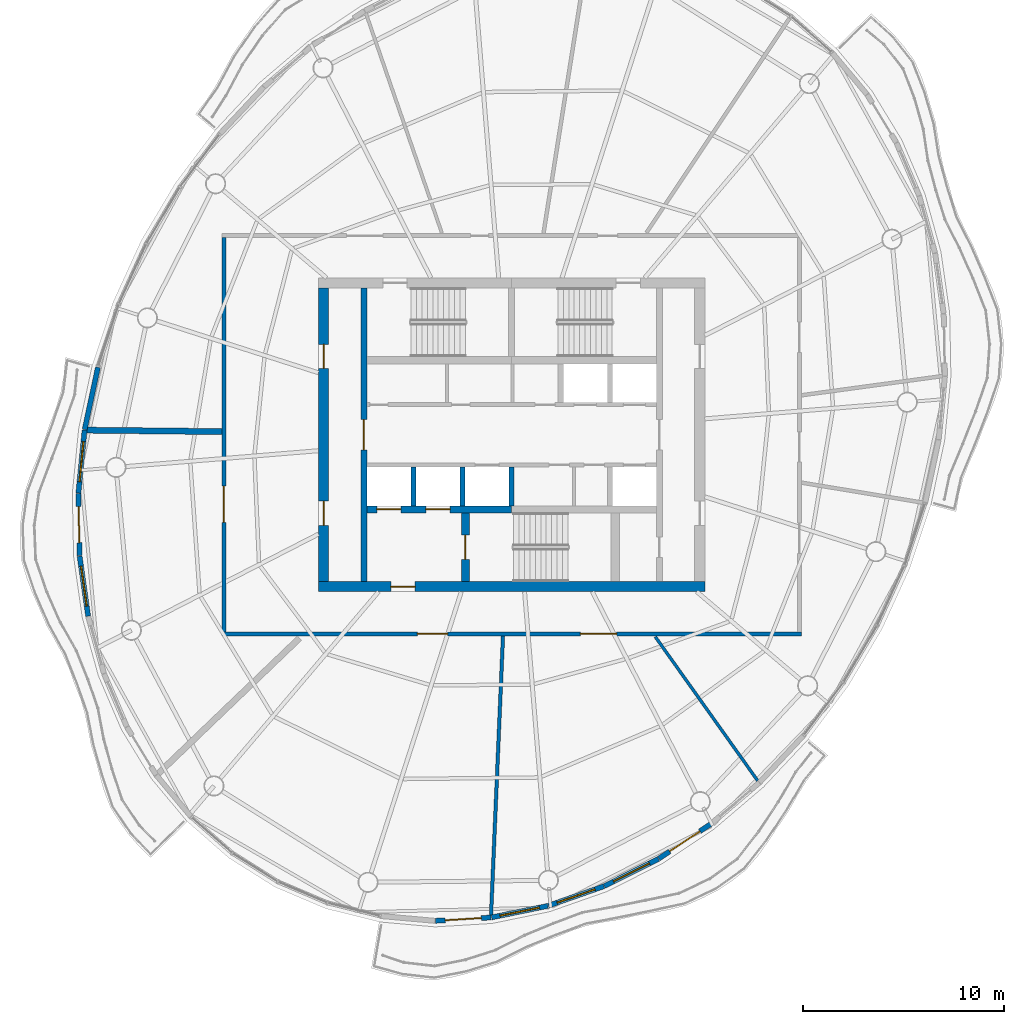
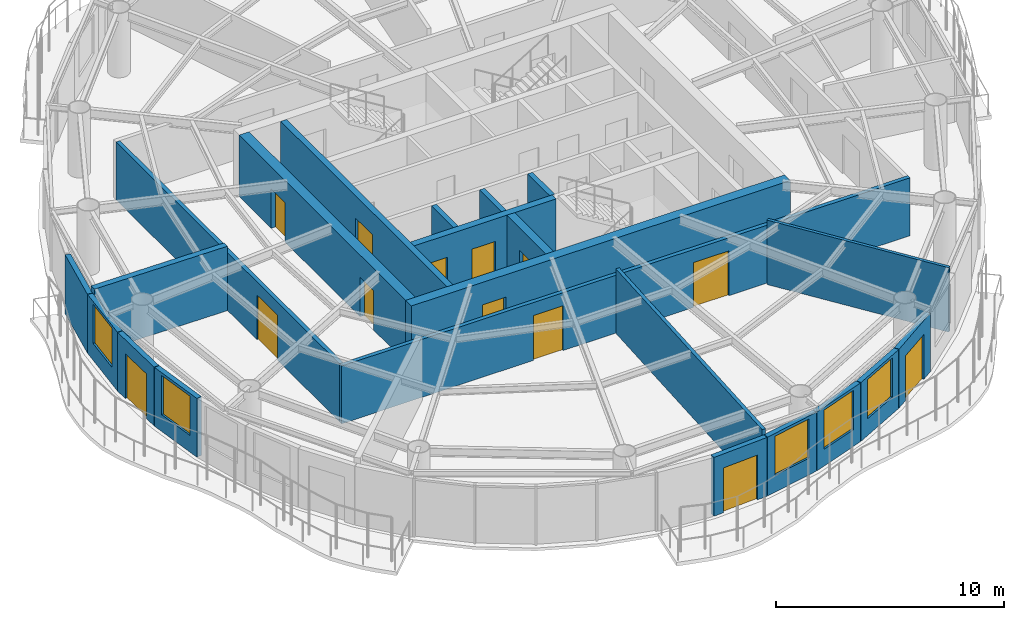
# One storey, part 7 of 13: 22 walls, 13 doors, 5 windows, 18 openings.
"""IFC4 building model written with IfcOpenShell, lengths in metres."""

from ifc_helpers import new_model, si_unit, direction, frame, frame_2d, origin, place, context, subcontext, project, spatial, rectangle, extrude, material, layer, layer_set, type_object, element, fill, save


model = new_model("IFC4")

# Units and contexts
model_context = context("Model", 3, precision=1e-05, world=origin(), true_north=direction((0.0, 1.0)))
body_context = subcontext(model_context, "Body", "Model", "MODEL_VIEW")
ifc_project = project(units=[si_unit("LENGTHUNIT", "METRE"), si_unit("AREAUNIT", "SQUARE_METRE"), si_unit("VOLUMEUNIT", "CUBIC_METRE"), si_unit("PLANEANGLEUNIT", "RADIAN"), si_unit("MASSUNIT", "GRAM", prefix="KILO")], contexts=[model_context])

# Site, building, storey
site_placement = place(None, origin())
site = spatial("IfcSite", under=ifc_project, at=site_placement, CompositionType="ELEMENT")
building_placement = place(site_placement, origin())
building = spatial("IfcBuilding", under=site, at=building_placement, Name="Vermilion Reach Broadcast Tower", CompositionType="ELEMENT")
storey_placement = place(building_placement, frame((0.0, 0.0, 282.89990234375)))
storey = spatial("IfcBuildingStorey", under=building, at=storey_placement, Name="L70", CompositionType="ELEMENT", Elevation=282.89990234375)

# Wall, opening, door
ifc_material_1 = material(Name="Concrete C50", Category="concrete")
ifc_layer_1 = layer(ifc_material_1, 0.300048828125)
ifc_layer_set_1 = layer_set([ifc_layer_1], Name="Core inner wall 300 mm Concrete C50")
wall_type_1 = type_object("IfcWallType", Name="Core inner wall 300 mm Concrete C50", PredefinedType="SHEAR", material=ifc_layer_set_1)
wall_1_placement = place(storey_placement, frame((-13.35009765625, 7.300048828125, 0.0), z_axis=(0.0, 0.0, 1.0), x_axis=(0.0, -1.0, 0.0)))
wall_1 = element("IfcWall", 1, at=wall_1_placement, inside=storey, type_object=wall_type_1, Name="L70 core wall ewW", PredefinedType="SHEAR", context=body_context, shape_type="SweptSolid", body=[
    extrude(rectangle(XDim=14.60009765625, YDim=0.300048828125, at=frame_2d((7.300048828125, 0.0))), origin(), (0.0, 0.0, 1.0), 3.300048828125),
])
opening_1_placement = place(wall_1_placement, frame((6.550048828125, 0.0, 0.0)))
opening_1 = element("IfcOpeningElement", 2, at=opening_1_placement, cuts=wall_1, Name="Opening D04", PredefinedType="OPENING", context=body_context, shape_type="SweptSolid", body=[
    extrude(rectangle(XDim=1.5, YDim=2.10009765625, at=frame_2d((0.75, 1.050048828125))), frame((0.0, 0.159912109375, 0.0), z_axis=(0.0, -1.0, 0.0), x_axis=(1.0, 0.0, 0.0)), (0.0, 0.0, 1.0), 0.320068359375),
])
ifc_material_2 = material(Name="Painted steel fire door", Category="steel")
door_type_1 = type_object("IfcDoorType", Name="Lift lobby door 1500 x 2100", OperationType="DOUBLE_DOOR_SINGLE_SWING", PredefinedType="NOTDEFINED", material=ifc_material_2)
door_1_placement = place(opening_1_placement, origin())
door_1 = element("IfcDoor", 3, at=door_1_placement, inside=storey, type_object=door_type_1, Name="L70 band door BW", OperationType="DOUBLE_DOOR_SINGLE_SWING", OverallHeight=2.10009765625, OverallWidth=1.5, PredefinedType="NOTDEFINED", context=body_context, shape_type="SweptSolid", body=[
    extrude(rectangle(XDim=1.5, YDim=2.10009765625, at=frame_2d((0.75, 1.050048828125))), frame((0.0, 0.02490234375, 0.0), z_axis=(0.0, -1.0, 0.0), x_axis=(1.0, 0.0, 0.0)), (0.0, 0.0, 1.0), 0.050048828125),
])
fill(opening_1, door_1)

# Wall, openings, doors
ifc_material_3 = material(Name="Concrete C50", Category="concrete")
ifc_layer_2 = layer(ifc_material_3, 0.35009765625)
ifc_layer_set_2 = layer_set([ifc_layer_2], Name="Core inner wall 350 mm Concrete C50")
wall_type_2 = type_object("IfcWallType", Name="Core inner wall 350 mm Concrete C50", PredefinedType="SHEAR", material=ifc_layer_set_2)
wall_2_placement = place(storey_placement, frame((-13.199951171875, -3.705078125, 0.0), z_axis=(0.0, 0.0, 1.0), x_axis=(1.0, 0.0, 0.0)))
wall_2 = element("IfcWall", 4, at=wall_2_placement, inside=storey, type_object=wall_type_2, Name="L70 core wall wisW", PredefinedType="SHEAR", context=body_context, shape_type="SweptSolid", body=[
    extrude(rectangle(XDim=7.199951171875, YDim=0.35009765625, at=frame_2d((3.60009765625, 0.0))), origin(), (0.0, 0.0, 1.0), 3.300048828125),
])
opening_2_placement = place(wall_2_placement, frame((0.495849609375, 0.0, 0.0)))
opening_2 = element("IfcOpeningElement", 5, at=opening_2_placement, cuts=wall_2, Name="Opening LD1", PredefinedType="OPENING", context=body_context, shape_type="SweptSolid", body=[
    extrude(rectangle(XDim=1.199951171875, YDim=2.10009765625, at=frame_2d((0.60009765625, 1.050048828125))), frame((0.0, 0.18505859375, 0.0), z_axis=(0.0, -1.0, 0.0), x_axis=(1.0, 0.0, 0.0)), (0.0, 0.0, 1.0), 0.3701171875),
])
opening_3_placement = place(wall_2_placement, frame((2.9375, 0.0, 0.0)))
opening_3 = element("IfcOpeningElement", 6, at=opening_3_placement, cuts=wall_2, Name="Opening LD1", PredefinedType="OPENING", context=body_context, shape_type="SweptSolid", body=[
    extrude(rectangle(XDim=1.199951171875, YDim=2.10009765625, at=frame_2d((0.60009765625, 1.050048828125))), frame((0.0, 0.18505859375, 0.0), z_axis=(0.0, -1.0, 0.0), x_axis=(1.0, 0.0, 0.0)), (0.0, 0.0, 1.0), 0.3701171875),
])
ifc_material_4 = material(Name="Stainless steel", Category="steel")
door_type_2 = type_object("IfcDoorType", Name="Landing door 1200 x 2100", OperationType="DOUBLE_DOOR_SLIDING", PredefinedType="NOTDEFINED", material=ifc_material_4)
door_2_placement = place(opening_2_placement, origin())
door_2 = element("IfcDoor", 7, at=door_2_placement, inside=storey, type_object=door_type_2, Name="L70 landing door FF1", OperationType="DOUBLE_DOOR_SLIDING", OverallHeight=2.10009765625, OverallWidth=1.199951171875, PredefinedType="NOTDEFINED", context=body_context, shape_type="SweptSolid", body=[
    extrude(rectangle(XDim=1.199951171875, YDim=2.10009765625, at=frame_2d((0.60009765625, 1.050048828125))), frame((0.0, 0.02490234375, 0.0), z_axis=(0.0, -1.0, 0.0), x_axis=(1.0, 0.0, 0.0)), (0.0, 0.0, 1.0), 0.050048828125),
])
fill(opening_2, door_2)
door_3_placement = place(opening_3_placement, origin())
door_3 = element("IfcDoor", 8, at=door_3_placement, inside=storey, type_object=door_type_2, Name="L70 landing door FF2", OperationType="DOUBLE_DOOR_SLIDING", OverallHeight=2.10009765625, OverallWidth=1.199951171875, PredefinedType="NOTDEFINED", context=body_context, shape_type="SweptSolid", body=[
    extrude(rectangle(XDim=1.199951171875, YDim=2.10009765625, at=frame_2d((0.60009765625, 1.050048828125))), frame((0.0, 0.02490234375, 0.0), z_axis=(0.0, -1.0, 0.0), x_axis=(1.0, 0.0, 0.0)), (0.0, 0.0, 1.0), 0.050048828125),
])
fill(opening_3, door_3)

# Wall, opening, door
ifc_material_5 = material(Name="Concrete C50", Category="concrete")
ifc_layer_3 = layer(ifc_material_5, 0.39990234375)
ifc_layer_set_3 = layer_set([ifc_layer_3], Name="Core inner wall 400 mm Concrete C50")
wall_type_3 = type_object("IfcWallType", Name="Core inner wall 400 mm Concrete C50", PredefinedType="SHEAR", material=ifc_layer_set_3)
wall_3_placement = place(storey_placement, frame((-8.300048828125, -3.8798828125, 0.0), z_axis=(0.0, 0.0, 1.0), x_axis=(0.0, -1.0, 0.0)))
wall_3 = element("IfcWall", 9, at=wall_3_placement, inside=storey, type_object=wall_type_3, Name="L70 core wall wa", PredefinedType="SHEAR", context=body_context, shape_type="SweptSolid", body=[
    extrude(rectangle(XDim=3.420166015625, YDim=0.39990234375, at=frame_2d((1.7099609375, 0.0))), origin(), (0.0, 0.0, 1.0), 3.300048828125),
])
opening_4_placement = place(wall_3_placement, frame((1.110107421875, 0.0, 0.0)))
opening_4 = element("IfcOpeningElement", 10, at=opening_4_placement, cuts=wall_3, Name="Opening D01", PredefinedType="OPENING", context=body_context, shape_type="SweptSolid", body=[
    extrude(rectangle(XDim=1.199951171875, YDim=2.10009765625, at=frame_2d((0.60009765625, 1.050048828125))), frame((0.0, 0.2099609375, 0.0), z_axis=(0.0, -1.0, 0.0), x_axis=(1.0, 0.0, 0.0)), (0.0, 0.0, 1.0), 0.419921875),
])
ifc_material_6 = material(Name="Painted steel fire door", Category="steel")
door_type_3 = type_object("IfcDoorType", Name="Stair door 1200 x 2100", OperationType="DOUBLE_DOOR_SINGLE_SWING", PredefinedType="NOTDEFINED", material=ifc_material_6)
door_4_placement = place(opening_4_placement, origin())
door_4 = element("IfcDoor", 11, at=door_4_placement, inside=storey, type_object=door_type_3, Name="L70 stair door ST3", OperationType="DOUBLE_DOOR_SINGLE_SWING", OverallHeight=2.10009765625, OverallWidth=1.199951171875, PredefinedType="NOTDEFINED", context=body_context, shape_type="SweptSolid", body=[
    extrude(rectangle(XDim=1.199951171875, YDim=2.10009765625, at=frame_2d((0.60009765625, 1.050048828125))), frame((0.0, 0.02490234375, 0.0), z_axis=(0.0, -1.0, 0.0), x_axis=(1.0, 0.0, 0.0)), (0.0, 0.0, 1.0), 0.050048828125),
])
fill(opening_4, door_4)

ifc_material_7 = material(Name="Concrete C50", Category="concrete")
ifc_layer_4 = layer(ifc_material_7, 0.5)
ifc_layer_set_4 = layer_set([ifc_layer_4], Name="Core outer wall 500 mm Concrete C50")
wall_type_4 = type_object("IfcWallType", Name="Core outer wall 500 mm Concrete C50", PredefinedType="SHEAR", material=ifc_layer_set_4)
wall_4_placement = place(storey_placement, frame((-15.60009765625, -7.550048828125, 0.0), z_axis=(0.0, 0.0, 1.0), x_axis=(1.0, 0.0, 0.0)))
wall_4 = element("IfcWall", 12, at=wall_4_placement, inside=storey, type_object=wall_type_4, Name="L70 core wall os", PredefinedType="SHEAR", context=body_context, shape_type="SweptSolid", body=[
    extrude(rectangle(XDim=19.2001953125, YDim=0.5, at=frame_2d((9.60009765625, 0.0))), origin(), (0.0, 0.0, 1.0), 3.300048828125),
])
opening_5_placement = place(wall_4_placement, frame((3.60009765625, 0.0, 0.0)))
opening_5 = element("IfcOpeningElement", 13, at=opening_5_placement, cuts=wall_4, Name="Opening D02", PredefinedType="OPENING", context=body_context, shape_type="SweptSolid", body=[
    extrude(rectangle(XDim=1.199951171875, YDim=2.10009765625, at=frame_2d((0.60009765625, 1.050048828125))), frame((0.0, 0.260009765625, 0.0), z_axis=(0.0, -1.0, 0.0), x_axis=(1.0, 0.0, 0.0)), (0.0, 0.0, 1.0), 0.52001953125),
])
ifc_material_8 = material(Name="Painted steel fire door", Category="steel")
door_type_4 = type_object("IfcDoorType", Name="Firefighting lobby door 1200 x 2100", OperationType="DOUBLE_DOOR_SINGLE_SWING", PredefinedType="NOTDEFINED", material=ifc_material_8)
door_5_placement = place(opening_5_placement, origin())
door_5 = element("IfcDoor", 14, at=door_5_placement, inside=storey, type_object=door_type_4, Name="L70 ffdoor door FFL", OperationType="DOUBLE_DOOR_SINGLE_SWING", OverallHeight=2.10009765625, OverallWidth=1.199951171875, PredefinedType="NOTDEFINED", context=body_context, shape_type="SweptSolid", body=[
    extrude(rectangle(XDim=1.199951171875, YDim=2.10009765625, at=frame_2d((0.60009765625, 1.050048828125))), frame((0.0, 0.02490234375, 0.0), z_axis=(0.0, -1.0, 0.0), x_axis=(1.0, 0.0, 0.0)), (0.0, 0.0, 1.0), 0.050048828125),
])
fill(opening_5, door_5)

# Wall, openings, doors
wall_5_placement = place(storey_placement, frame((-15.35009765625, 7.300048828125, 0.0), z_axis=(0.0, 0.0, 1.0), x_axis=(0.0, -1.0, 0.0)))
wall_5 = element("IfcWall", 15, at=wall_5_placement, inside=storey, type_object=wall_type_4, Name="L70 core wall ow", PredefinedType="SHEAR", context=body_context, shape_type="SweptSolid", body=[
    extrude(rectangle(XDim=14.60009765625, YDim=0.5, at=frame_2d((7.300048828125, 0.0))), origin(), (0.0, 0.0, 1.0), 3.300048828125),
])
opening_6_placement = place(wall_5_placement, frame((10.60009765625, 0.0, 0.0)))
opening_6 = element("IfcOpeningElement", 16, at=opening_6_placement, cuts=wall_5, Name="Opening D03", PredefinedType="OPENING", context=body_context, shape_type="SweptSolid", body=[
    extrude(rectangle(XDim=1.199951171875, YDim=2.10009765625, at=frame_2d((0.60009765625, 1.050048828125))), frame((0.0, 0.260009765625, 0.0), z_axis=(0.0, -1.0, 0.0), x_axis=(1.0, 0.0, 0.0)), (0.0, 0.0, 1.0), 0.52001953125),
])
opening_7_placement = place(wall_5_placement, frame((2.800048828125, 0.0, 0.0)))
opening_7 = element("IfcOpeningElement", 17, at=opening_7_placement, cuts=wall_5, Name="Opening D03", PredefinedType="OPENING", context=body_context, shape_type="SweptSolid", body=[
    extrude(rectangle(XDim=1.199951171875, YDim=2.10009765625, at=frame_2d((0.60009765625, 1.050048828125))), frame((0.0, 0.260009765625, 0.0), z_axis=(0.0, -1.0, 0.0), x_axis=(1.0, 0.0, 0.0)), (0.0, 0.0, 1.0), 0.52001953125),
])
ifc_material_9 = material(Name="Painted steel fire door", Category="steel")
door_type_5 = type_object("IfcDoorType", Name="Core lobby door 1200 x 2100", OperationType="DOUBLE_DOOR_SINGLE_SWING", PredefinedType="NOTDEFINED", material=ifc_material_9)
door_6_placement = place(opening_6_placement, origin())
door_6 = element("IfcDoor", 18, at=door_6_placement, inside=storey, type_object=door_type_5, Name="L70 slot door W0", OperationType="DOUBLE_DOOR_SINGLE_SWING", OverallHeight=2.10009765625, OverallWidth=1.199951171875, PredefinedType="NOTDEFINED", context=body_context, shape_type="SweptSolid", body=[
    extrude(rectangle(XDim=1.199951171875, YDim=2.10009765625, at=frame_2d((0.60009765625, 1.050048828125))), frame((0.0, 0.02490234375, 0.0), z_axis=(0.0, -1.0, 0.0), x_axis=(1.0, 0.0, 0.0)), (0.0, 0.0, 1.0), 0.050048828125),
])
fill(opening_6, door_6)
door_7_placement = place(opening_7_placement, origin())
door_7 = element("IfcDoor", 19, at=door_7_placement, inside=storey, type_object=door_type_5, Name="L70 slot door W1", OperationType="DOUBLE_DOOR_SINGLE_SWING", OverallHeight=2.10009765625, OverallWidth=1.199951171875, PredefinedType="NOTDEFINED", context=body_context, shape_type="SweptSolid", body=[
    extrude(rectangle(XDim=1.199951171875, YDim=2.10009765625, at=frame_2d((0.60009765625, 1.050048828125))), frame((0.0, 0.02490234375, 0.0), z_axis=(0.0, -1.0, 0.0), x_axis=(1.0, 0.0, 0.0)), (0.0, 0.0, 1.0), 0.050048828125),
])
fill(opening_7, door_7)

# Walls
ifc_material_10 = material(Name="Concrete C50", Category="concrete")
ifc_layer_5 = layer(ifc_material_10, 0.25)
ifc_layer_set_5 = layer_set([ifc_layer_5], Name="Core shaft wall 250 mm Concrete C50")
wall_type_5 = type_object("IfcWallType", Name="Core shaft wall 250 mm Concrete C50", PredefinedType="SHEAR", material=ifc_layer_set_5)
for number, where, z_axis, x_axis, name in (
    (20, (-10.88330078125, -1.60009765625, 0.0), (0.0, 0.0, 1.0), (0.0, -1.0, 0.0), "L70 core wall psS0"),
    (21, (-8.441650390625, -1.60009765625, 0.0), (0.0, 0.0, 1.0), (0.0, -1.0, 0.0), "L70 core wall psS1"),
    (22, (-6.0, -1.60009765625, 0.0), (0.0, 0.0, 1.0), (0.0, -1.0, 0.0), "L70 core wall psS2"),
):
    element("IfcWall", number, at=place(storey_placement, frame(where, z_axis=z_axis, x_axis=x_axis)), inside=storey, type_object=wall_type_5, Name=name, PredefinedType="SHEAR", context=body_context, shape_type="SweptSolid", body=[
        extrude(rectangle(XDim=1.929931640625, YDim=0.25, at=frame_2d((0.96484375, 0.0))), origin(), (0.0, 0.0, 1.0), 3.300048828125),
    ])
ifc_material_11 = material(Name="Lightweight concrete block, plastered", Category="concrete")
ifc_layer_6 = layer(ifc_material_11, 0.14990234375)
ifc_layer_set_6 = layer_set([ifc_layer_6], Name="Partition 150 lightweight block")
wall_type_6 = type_object("IfcWallType", Name="Partition 150 lightweight block", PredefinedType="PARTITIONING", material=ifc_layer_set_6)
wall_6_placement = place(storey_placement, frame((6.232421875, -17.198486328125, 0.0), z_axis=(0.0, 0.0, 1.0), x_axis=(-0.579606269786, 0.814896663402, 0.0)))
element("IfcWall", 23, at=wall_6_placement, inside=storey, type_object=wall_type_6, Name="Partition 70.06", PredefinedType="PARTITIONING", context=body_context, shape_type="SweptSolid", body=[
    extrude(rectangle(XDim=8.7802734375, YDim=0.14990234375, at=frame_2d((4.39013671875, 0.0))), origin(), (0.0, 0.0, 1.0), 3.4501953125),
])
ifc_material_12 = material(Name="Fire-rated block, plastered")
ifc_layer_7 = layer(ifc_material_12, 0.175048828125)
ifc_layer_set_7 = layer_set([ifc_layer_7], Name="Partition 175 fire-rated block")
wall_type_7 = type_object("IfcWallType", Name="Partition 175 fire-rated block", PredefinedType="PARTITIONING", material=ifc_layer_set_7)
wall_7_placement = place(storey_placement, frame((-7.0234375, -23.87060546875, 0.0), z_axis=(0.0, 0.0, 1.0), x_axis=(0.042831131953, 0.999082326005, 0.0)))
element("IfcWall", 24, at=wall_7_placement, inside=storey, type_object=wall_type_7, Name="Partition 70.05", PredefinedType="PARTITIONING", context=body_context, shape_type="SweptSolid", body=[
    extrude(rectangle(XDim=13.879638671875, YDim=0.175048828125, at=frame_2d((6.93994140625, 0.0))), origin(), (0.0, 0.0, 1.0), 3.4501953125),
])
ifc_material_13 = material(Name="Double-leaf plasterboard on isolated steel stud", Category="steel")
ifc_layer_8 = layer(ifc_material_13, 0.300048828125)
ifc_layer_set_8 = layer_set([ifc_layer_8], Name="Partition 300 acoustic double leaf")
wall_type_8 = type_object("IfcWallType", Name="Partition 300 acoustic double leaf", PredefinedType="PARTITIONING", material=ifc_layer_set_8)
wall_8_placement = place(storey_placement, frame((-27.103759765625, 0.229248046875, 0.0), z_axis=(0.0, 0.0, 1.0), x_axis=(0.999941086317, -0.010854671562, 0.0)))
element("IfcWall", 25, at=wall_8_placement, inside=storey, type_object=wall_type_8, Name="Partition 70.03", PredefinedType="PARTITIONING", context=body_context, shape_type="SweptSolid", body=[
    extrude(rectangle(XDim=6.70263671875, YDim=0.300048828125, at=frame_2d((3.351318359375, 0.0))), origin(), (0.0, 0.0, 1.0), 3.4501953125),
])
ifc_material_14 = material(Name="Terracotta rainscreen cladding", Category="masonry")
ifc_layer_9 = layer(ifc_material_14, 0.25)
ifc_layer_set_9 = layer_set([ifc_layer_9], Name="Terracotta rainscreen wall 250")
wall_type_9 = type_object("IfcWallType", Name="Terracotta rainscreen wall 250", PredefinedType="SOLIDWALL", material=ifc_layer_set_9)
wall_9_placement = place(storey_placement, frame((-26.564453125, 3.3525390625, 0.0), z_axis=(0.0, 0.0, 1.0), x_axis=(-0.208864865709, -0.977944511653, 0.0)))
element("IfcWall", 26, at=wall_9_placement, inside=storey, type_object=wall_type_9, Name="External wall L70 14", PredefinedType="SOLIDWALL", context=body_context, shape_type="SweptSolid", body=[
    extrude(rectangle(XDim=3.1630859375, YDim=0.25, at=frame_2d((1.58154296875, 0.0))), origin(), (0.0, 0.0, 1.0), 3.150146484375),
])

# Wall, opening, window
wall_10_placement = place(storey_placement, frame((-27.228271484375, 0.237548828125, 0.0), z_axis=(0.0, 0.0, 1.0), x_axis=(-0.097526326892, -0.995232945377, 0.0)))
wall_10 = element("IfcWall", 27, at=wall_10_placement, inside=storey, type_object=wall_type_9, Name="External wall L70 15", PredefinedType="SOLIDWALL", context=body_context, shape_type="SweptSolid", body=[
    extrude(rectangle(XDim=3.154296875, YDim=0.25, at=frame_2d((1.5771484375, 0.0))), origin(), (0.0, 0.0, 1.0), 3.150146484375),
])
opening_8_placement = place(wall_10_placement, frame((0.5771484375, 0.0, 0.89990234375)))
opening_8 = element("IfcOpeningElement", 28, at=opening_8_placement, cuts=wall_10, Name="Opening W03", PredefinedType="OPENING", context=body_context, shape_type="SweptSolid", body=[
    extrude(rectangle(XDim=2.0, YDim=2.10009765625, at=frame_2d((1.0, 1.050048828125))), frame((0.0, 0.135009765625, 0.0), z_axis=(0.0, -1.0, 0.0), x_axis=(1.0, 0.0, 0.0)), (0.0, 0.0, 1.0), 0.27001953125),
])
ifc_material_15 = material(Name="Low-e laminated clear glass in aluminium frame", Category="aluminium")
window_type = type_object("IfcWindowType", Name="Punched window 2000 x 2100 sill 900", PartitioningType="SINGLE_PANEL", PredefinedType="WINDOW", material=ifc_material_15)
window_1_placement = place(opening_8_placement, origin())
window_1 = element("IfcWindow", 29, at=window_1_placement, inside=storey, type_object=window_type, Name="Window L70 15", OverallHeight=2.10009765625, OverallWidth=2.0, PartitioningType="SINGLE_PANEL", PredefinedType="WINDOW", context=body_context, shape_type="SweptSolid", body=[
    extrude(rectangle(XDim=2.0, YDim=2.10009765625, at=frame_2d((1.0, 1.050048828125))), frame((0.0, 0.030029296875, 0.0), z_axis=(0.0, -1.0, 0.0), x_axis=(1.0, 0.0, 0.0)), (0.0, 0.0, 1.0), 0.06005859375),
])
fill(opening_8, window_1)

# Wall, opening, door
wall_11_placement = place(storey_placement, frame((-27.536865234375, -2.924072265625, 0.0), z_axis=(0.0, 0.0, 1.0), x_axis=(0.019213534435, -0.999815403009, 0.0)))
wall_11 = element("IfcWall", 30, at=wall_11_placement, inside=storey, type_object=wall_type_9, Name="External wall L70 16", PredefinedType="SOLIDWALL", context=body_context, shape_type="SweptSolid", body=[
    extrude(rectangle(XDim=3.087646484375, YDim=0.25, at=frame_2d((1.5439453125, 0.0))), origin(), (0.0, 0.0, 1.0), 3.150146484375),
])
opening_9_placement = place(wall_11_placement, frame((0.64404296875, 0.0, 0.0)))
opening_9 = element("IfcOpeningElement", 31, at=opening_9_placement, cuts=wall_11, Name="Opening D70", PredefinedType="OPENING", context=body_context, shape_type="SweptSolid", body=[
    extrude(rectangle(XDim=1.800048828125, YDim=2.39990234375, at=frame_2d((0.89990234375, 1.199951171875))), frame((0.0, 0.135009765625, 0.0), z_axis=(0.0, -1.0, 0.0), x_axis=(1.0, 0.0, 0.0)), (0.0, 0.0, 1.0), 0.27001953125),
])
ifc_material_16 = material(Name="Low-e laminated clear glass in aluminium frame", Category="aluminium")
door_type_6 = type_object("IfcDoorType", Name="Balcony sliding door 1800 x 2400", OperationType="DOUBLE_DOOR_SLIDING", PredefinedType="DOOR", material=ifc_material_16)
door_8_placement = place(opening_9_placement, origin())
door_8 = element("IfcDoor", 32, at=door_8_placement, inside=storey, type_object=door_type_6, Name="Balcony door L70 run 04", OperationType="DOUBLE_DOOR_SLIDING", OverallHeight=2.39990234375, OverallWidth=1.800048828125, PredefinedType="DOOR", context=body_context, shape_type="SweptSolid", body=[
    extrude(rectangle(XDim=1.800048828125, YDim=2.39990234375, at=frame_2d((0.89990234375, 1.199951171875))), frame((0.0, 0.02490234375, 0.0), z_axis=(0.0, -1.0, 0.0), x_axis=(1.0, 0.0, 0.0)), (0.0, 0.0, 1.0), 0.050048828125),
])
fill(opening_9, door_8)

# Wall, opening, window
wall_12_placement = place(storey_placement, frame((-27.4755859375, -6.034423828125, 0.0), z_axis=(0.0, 0.0, 1.0), x_axis=(0.140956080181, -0.990015850105, 0.0)))
wall_12 = element("IfcWall", 33, at=wall_12_placement, inside=storey, type_object=wall_type_9, Name="External wall L70 17", PredefinedType="SOLIDWALL", context=body_context, shape_type="SweptSolid", body=[
    extrude(rectangle(XDim=3.011962890625, YDim=0.25, at=frame_2d((1.505859375, 0.0))), origin(), (0.0, 0.0, 1.0), 3.150146484375),
])
opening_10_placement = place(wall_12_placement, frame((0.505859375, 0.0, 0.89990234375)))
opening_10 = element("IfcOpeningElement", 34, at=opening_10_placement, cuts=wall_12, Name="Opening W03", PredefinedType="OPENING", context=body_context, shape_type="SweptSolid", body=[
    extrude(rectangle(XDim=2.0, YDim=2.10009765625, at=frame_2d((1.0, 1.050048828125))), frame((0.0, 0.135009765625, 0.0), z_axis=(0.0, -1.0, 0.0), x_axis=(1.0, 0.0, 0.0)), (0.0, 0.0, 1.0), 0.27001953125),
])
window_2_placement = place(opening_10_placement, origin())
window_2 = element("IfcWindow", 35, at=window_2_placement, inside=storey, type_object=window_type, Name="Window L70 17", OverallHeight=2.10009765625, OverallWidth=2.0, PartitioningType="SINGLE_PANEL", PredefinedType="WINDOW", context=body_context, shape_type="SweptSolid", body=[
    extrude(rectangle(XDim=2.0, YDim=2.10009765625, at=frame_2d((1.0, 1.050048828125))), frame((0.0, 0.030029296875, 0.0), z_axis=(0.0, -1.0, 0.0), x_axis=(1.0, 0.0, 0.0)), (0.0, 0.0, 1.0), 0.06005859375),
])
fill(opening_10, window_2)

# Wall, opening, door
wall_13_placement = place(storey_placement, frame((-9.792236328125, -24.161865234375, 0.0), z_axis=(0.0, 0.0, 1.0), x_axis=(0.998195899902, 0.060041197678, 0.0)))
wall_13 = element("IfcWall", 36, at=wall_13_placement, inside=storey, type_object=wall_type_9, Name="External wall L70 27", PredefinedType="SOLIDWALL", context=body_context, shape_type="SweptSolid", body=[
    extrude(rectangle(XDim=2.77734375, YDim=0.25, at=frame_2d((1.388671875, 0.0))), origin(), (0.0, 0.0, 1.0), 3.150146484375),
])
opening_11_placement = place(wall_13_placement, frame((0.489013671875, 0.0, 0.0)))
opening_11 = element("IfcOpeningElement", 37, at=opening_11_placement, cuts=wall_13, Name="Opening D70", PredefinedType="OPENING", context=body_context, shape_type="SweptSolid", body=[
    extrude(rectangle(XDim=1.800048828125, YDim=2.39990234375, at=frame_2d((0.89990234375, 1.199951171875))), frame((0.0, 0.135009765625, 0.0), z_axis=(0.0, -1.0, 0.0), x_axis=(1.0, 0.0, 0.0)), (0.0, 0.0, 1.0), 0.27001953125),
])
door_9_placement = place(opening_11_placement, origin())
door_9 = element("IfcDoor", 38, at=door_9_placement, inside=storey, type_object=door_type_6, Name="Balcony door L70 run 07", OperationType="DOUBLE_DOOR_SLIDING", OverallHeight=2.39990234375, OverallWidth=1.800048828125, PredefinedType="DOOR", context=body_context, shape_type="SweptSolid", body=[
    extrude(rectangle(XDim=1.800048828125, YDim=2.39990234375, at=frame_2d((0.89990234375, 1.199951171875))), frame((0.0, 0.02490234375, 0.0), z_axis=(0.0, -1.0, 0.0), x_axis=(1.0, 0.0, 0.0)), (0.0, 0.0, 1.0), 0.050048828125),
])
fill(opening_11, door_9)

# Wall, opening, window
wall_14_placement = place(storey_placement, frame((-6.994384765625, -23.991943359375, 0.0), z_axis=(0.0, 0.0, 1.0), x_axis=(0.979580220635, 0.201053702627, 0.0)))
wall_14 = element("IfcWall", 39, at=wall_14_placement, inside=storey, type_object=wall_type_9, Name="External wall L70 28", PredefinedType="SOLIDWALL", context=body_context, shape_type="SweptSolid", body=[
    extrude(rectangle(XDim=2.85107421875, YDim=0.25, at=frame_2d((1.425537109375, 0.0))), origin(), (0.0, 0.0, 1.0), 3.150146484375),
])
opening_12_placement = place(wall_14_placement, frame((0.425537109375, 0.0, 0.89990234375)))
opening_12 = element("IfcOpeningElement", 40, at=opening_12_placement, cuts=wall_14, Name="Opening W03", PredefinedType="OPENING", context=body_context, shape_type="SweptSolid", body=[
    extrude(rectangle(XDim=2.0, YDim=2.10009765625, at=frame_2d((1.0, 1.050048828125))), frame((0.0, 0.135009765625, 0.0), z_axis=(0.0, -1.0, 0.0), x_axis=(1.0, 0.0, 0.0)), (0.0, 0.0, 1.0), 0.27001953125),
])
window_3_placement = place(opening_12_placement, origin())
window_3 = element("IfcWindow", 41, at=window_3_placement, inside=storey, type_object=window_type, Name="Window L70 28", OverallHeight=2.10009765625, OverallWidth=2.0, PartitioningType="SINGLE_PANEL", PredefinedType="WINDOW", context=body_context, shape_type="SweptSolid", body=[
    extrude(rectangle(XDim=2.0, YDim=2.10009765625, at=frame_2d((1.0, 1.050048828125))), frame((0.0, 0.030029296875, 0.0), z_axis=(0.0, -1.0, 0.0), x_axis=(1.0, 0.0, 0.0)), (0.0, 0.0, 1.0), 0.06005859375),
])
fill(opening_12, window_3)

wall_15_placement = place(storey_placement, frame((-4.177490234375, -23.412109375, 0.0), z_axis=(0.0, 0.0, 1.0), x_axis=(0.943550214261, 0.331229517355, 0.0)))
wall_15 = element("IfcWall", 42, at=wall_15_placement, inside=storey, type_object=wall_type_9, Name="External wall L70 29", PredefinedType="SOLIDWALL", context=body_context, shape_type="SweptSolid", body=[
    extrude(rectangle(XDim=2.931396484375, YDim=0.25, at=frame_2d((1.4658203125, 0.0))), origin(), (0.0, 0.0, 1.0), 3.150146484375),
])
opening_13_placement = place(wall_15_placement, frame((0.465576171875, 0.0, 0.89990234375)))
opening_13 = element("IfcOpeningElement", 43, at=opening_13_placement, cuts=wall_15, Name="Opening W03", PredefinedType="OPENING", context=body_context, shape_type="SweptSolid", body=[
    extrude(rectangle(XDim=2.0, YDim=2.10009765625, at=frame_2d((1.0, 1.050048828125))), frame((0.0, 0.135009765625, 0.0), z_axis=(0.0, -1.0, 0.0), x_axis=(1.0, 0.0, 0.0)), (0.0, 0.0, 1.0), 0.27001953125),
])
window_4_placement = place(opening_13_placement, origin())
window_4 = element("IfcWindow", 44, at=window_4_placement, inside=storey, type_object=window_type, Name="Window L70 29", OverallHeight=2.10009765625, OverallWidth=2.0, PartitioningType="SINGLE_PANEL", PredefinedType="WINDOW", context=body_context, shape_type="SweptSolid", body=[
    extrude(rectangle(XDim=2.0, YDim=2.10009765625, at=frame_2d((1.0, 1.050048828125))), frame((0.0, 0.030029296875, 0.0), z_axis=(0.0, -1.0, 0.0), x_axis=(1.0, 0.0, 0.0)), (0.0, 0.0, 1.0), 0.06005859375),
])
fill(opening_13, window_4)

wall_16_placement = place(storey_placement, frame((-1.3896484375, -22.431884765625, 0.0), z_axis=(0.0, 0.0, 1.0), x_axis=(0.893387281144, 0.449287397875, 0.0)))
wall_16 = element("IfcWall", 45, at=wall_16_placement, inside=storey, type_object=wall_type_9, Name="External wall L70 30", PredefinedType="SOLIDWALL", context=body_context, shape_type="SweptSolid", body=[
    extrude(rectangle(XDim=3.011962890625, YDim=0.25, at=frame_2d((1.505859375, 0.0))), origin(), (0.0, 0.0, 1.0), 3.150146484375),
])
opening_14_placement = place(wall_16_placement, frame((0.505859375, 0.0, 0.89990234375)))
opening_14 = element("IfcOpeningElement", 46, at=opening_14_placement, cuts=wall_16, Name="Opening W03", PredefinedType="OPENING", context=body_context, shape_type="SweptSolid", body=[
    extrude(rectangle(XDim=2.0, YDim=2.10009765625, at=frame_2d((1.0, 1.050048828125))), frame((0.0, 0.135009765625, 0.0), z_axis=(0.0, -1.0, 0.0), x_axis=(1.0, 0.0, 0.0)), (0.0, 0.0, 1.0), 0.27001953125),
])
window_5_placement = place(opening_14_placement, origin())
window_5 = element("IfcWindow", 47, at=window_5_placement, inside=storey, type_object=window_type, Name="Window L70 30", OverallHeight=2.10009765625, OverallWidth=2.0, PartitioningType="SINGLE_PANEL", PredefinedType="WINDOW", context=body_context, shape_type="SweptSolid", body=[
    extrude(rectangle(XDim=2.0, YDim=2.10009765625, at=frame_2d((1.0, 1.050048828125))), frame((0.0, 0.030029296875, 0.0), z_axis=(0.0, -1.0, 0.0), x_axis=(1.0, 0.0, 0.0)), (0.0, 0.0, 1.0), 0.06005859375),
])
fill(opening_14, window_5)

# Wall, opening, door
wall_17_placement = place(storey_placement, frame((1.3212890625, -21.06689453125, 0.0), z_axis=(0.0, 0.0, 1.0), x_axis=(0.831965133189, 0.554827916707, 0.0)))
wall_17 = element("IfcWall", 48, at=wall_17_placement, inside=storey, type_object=wall_type_9, Name="External wall L70 31", PredefinedType="SOLIDWALL", context=body_context, shape_type="SweptSolid", body=[
    extrude(rectangle(XDim=3.087646484375, YDim=0.25, at=frame_2d((1.5439453125, 0.0))), origin(), (0.0, 0.0, 1.0), 3.150146484375),
])
opening_15_placement = place(wall_17_placement, frame((0.64404296875, 0.0, 0.0)))
opening_15 = element("IfcOpeningElement", 49, at=opening_15_placement, cuts=wall_17, Name="Opening D70", PredefinedType="OPENING", context=body_context, shape_type="SweptSolid", body=[
    extrude(rectangle(XDim=1.800048828125, YDim=2.39990234375, at=frame_2d((0.89990234375, 1.199951171875))), frame((0.0, 0.135009765625, 0.0), z_axis=(0.0, -1.0, 0.0), x_axis=(1.0, 0.0, 0.0)), (0.0, 0.0, 1.0), 0.27001953125),
])
door_10_placement = place(opening_15_placement, origin())
door_10 = element("IfcDoor", 50, at=door_10_placement, inside=storey, type_object=door_type_6, Name="Balcony door L70 run 08", OperationType="DOUBLE_DOOR_SLIDING", OverallHeight=2.39990234375, OverallWidth=1.800048828125, PredefinedType="DOOR", context=body_context, shape_type="SweptSolid", body=[
    extrude(rectangle(XDim=1.800048828125, YDim=2.39990234375, at=frame_2d((0.89990234375, 1.199951171875))), frame((0.0, 0.02490234375, 0.0), z_axis=(0.0, -1.0, 0.0), x_axis=(1.0, 0.0, 0.0)), (0.0, 0.0, 1.0), 0.050048828125),
])
fill(opening_15, door_10)

# Wall, openings, doors
ifc_material_17 = material(Name="Fire-rated gypsum board partition")
ifc_layer_10 = layer(ifc_material_17, 0.199951171875)
ifc_layer_set_10 = layer_set([ifc_layer_10], Name="Under girder: Corridor wall 200 fire-rated")
wall_type_10 = type_object("IfcWallType", Name="Under girder: Corridor wall 200 fire-rated", PredefinedType="PARTITIONING", material=ifc_layer_set_10)
wall_18_placement = place(storey_placement, frame((8.39990234375, -9.89990234375, 0.0), z_axis=(0.0, 0.0, 1.0), x_axis=(-1.0, 0.0, 0.0)))
wall_18 = element("IfcWall", 51, at=wall_18_placement, inside=storey, type_object=wall_type_10, Name="Corridor wall 70.S", PredefinedType="PARTITIONING", context=body_context, shape_type="SweptSolid", body=[
    extrude(rectangle(XDim=28.7998046875, YDim=0.199951171875, at=frame_2d((14.39990234375, 0.0))), origin(), (0.0, 0.0, 1.0), 3.10009765625),
])
opening_16_placement = place(wall_18_placement, frame((17.579345703125, 0.0, 0.0)))
opening_16 = element("IfcOpeningElement", 52, at=opening_16_placement, cuts=wall_18, Name="Opening D25", PredefinedType="OPENING", context=body_context, shape_type="SweptSolid", body=[
    extrude(rectangle(XDim=1.5, YDim=2.39990234375, at=frame_2d((0.75, 1.199951171875))), frame((0.0, 0.10986328125, 0.0), z_axis=(0.0, -1.0, 0.0), x_axis=(1.0, 0.0, 0.0)), (0.0, 0.0, 1.0), 0.219970703125),
])
opening_17_placement = place(wall_18_placement, frame((9.184814453125, 0.0, 0.0)))
opening_17 = element("IfcOpeningElement", 53, at=opening_17_placement, cuts=wall_18, Name="Opening D27", PredefinedType="OPENING", context=body_context, shape_type="SweptSolid", body=[
    extrude(rectangle(XDim=1.800048828125, YDim=2.39990234375, at=frame_2d((0.89990234375, 1.199951171875))), frame((0.0, 0.10986328125, 0.0), z_axis=(0.0, -1.0, 0.0), x_axis=(1.0, 0.0, 0.0)), (0.0, 0.0, 1.0), 0.219970703125),
])
ifc_material_18 = material(Name="Glazed timber door leaf", Category="wood")
door_type_7 = type_object("IfcDoorType", Name="Door pair 1500x2400", OperationType="NOTDEFINED", PredefinedType="DOOR", material=ifc_material_18)
door_11_placement = place(opening_16_placement, origin())
door_11 = element("IfcDoor", 54, at=door_11_placement, inside=storey, type_object=door_type_7, Name="Door 70.04", OperationType="DOUBLE_DOOR_SINGLE_SWING", OverallHeight=2.39990234375, OverallWidth=1.5, PredefinedType="DOOR", context=body_context, shape_type="SweptSolid", body=[
    extrude(rectangle(XDim=1.5, YDim=2.39990234375, at=frame_2d((0.75, 1.199951171875))), frame((0.0, 0.02490234375, 0.0), z_axis=(0.0, -1.0, 0.0), x_axis=(1.0, 0.0, 0.0)), (0.0, 0.0, 1.0), 0.050048828125),
])
fill(opening_16, door_11)
ifc_material_19 = material(Name="Acoustic timber door leaf", Category="wood")
door_type_8 = type_object("IfcDoorType", Name="Door pair 1800x2400", OperationType="NOTDEFINED", PredefinedType="DOOR", material=ifc_material_19)
door_12_placement = place(opening_17_placement, origin())
door_12 = element("IfcDoor", 55, at=door_12_placement, inside=storey, type_object=door_type_8, Name="Door 70.05", OperationType="DOUBLE_DOOR_SINGLE_SWING", OverallHeight=2.39990234375, OverallWidth=1.800048828125, PredefinedType="DOOR", context=body_context, shape_type="SweptSolid", body=[
    extrude(rectangle(XDim=1.800048828125, YDim=2.39990234375, at=frame_2d((0.89990234375, 1.199951171875))), frame((0.0, 0.02490234375, 0.0), z_axis=(0.0, -1.0, 0.0), x_axis=(1.0, 0.0, 0.0)), (0.0, 0.0, 1.0), 0.050048828125),
])
fill(opening_17, door_12)

# Wall, opening, door
wall_19_placement = place(storey_placement, frame((-20.300048828125, -9.800048828125, 0.0), z_axis=(0.0, 0.0, 1.0), x_axis=(0.0, 1.0, 0.0)))
wall_19 = element("IfcWall", 56, at=wall_19_placement, inside=storey, type_object=wall_type_10, Name="Corridor wall 70.W", PredefinedType="PARTITIONING", context=body_context, shape_type="SweptSolid", body=[
    extrude(rectangle(XDim=19.60009765625, YDim=0.199951171875, at=frame_2d((9.800048828125, 0.0))), origin(), (0.0, 0.0, 1.0), 3.10009765625),
])
opening_18_placement = place(wall_19_placement, frame((5.449462890625, 0.0, 0.0)))
opening_18 = element("IfcOpeningElement", 57, at=opening_18_placement, cuts=wall_19, Name="Opening D27", PredefinedType="OPENING", context=body_context, shape_type="SweptSolid", body=[
    extrude(rectangle(XDim=1.800048828125, YDim=2.39990234375, at=frame_2d((0.89990234375, 1.199951171875))), frame((0.0, 0.10986328125, 0.0), z_axis=(0.0, -1.0, 0.0), x_axis=(1.0, 0.0, 0.0)), (0.0, 0.0, 1.0), 0.219970703125),
])
door_13_placement = place(opening_18_placement, origin())
door_13 = element("IfcDoor", 58, at=door_13_placement, inside=storey, type_object=door_type_8, Name="Door 70.03", OperationType="DOUBLE_DOOR_SINGLE_SWING", OverallHeight=2.39990234375, OverallWidth=1.800048828125, PredefinedType="DOOR", context=body_context, shape_type="SweptSolid", body=[
    extrude(rectangle(XDim=1.800048828125, YDim=2.39990234375, at=frame_2d((0.89990234375, 1.199951171875))), frame((0.0, 0.02490234375, 0.0), z_axis=(0.0, -1.0, 0.0), x_axis=(1.0, 0.0, 0.0)), (0.0, 0.0, 1.0), 0.050048828125),
])
fill(opening_18, door_13)

save(model, "model.ifc")
